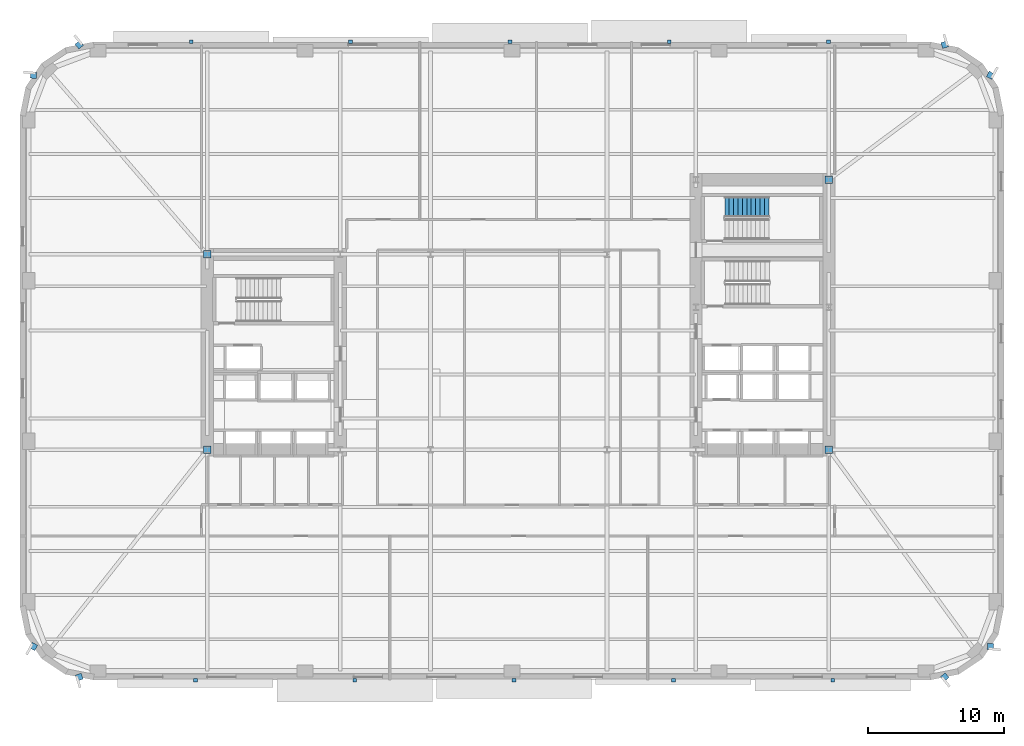
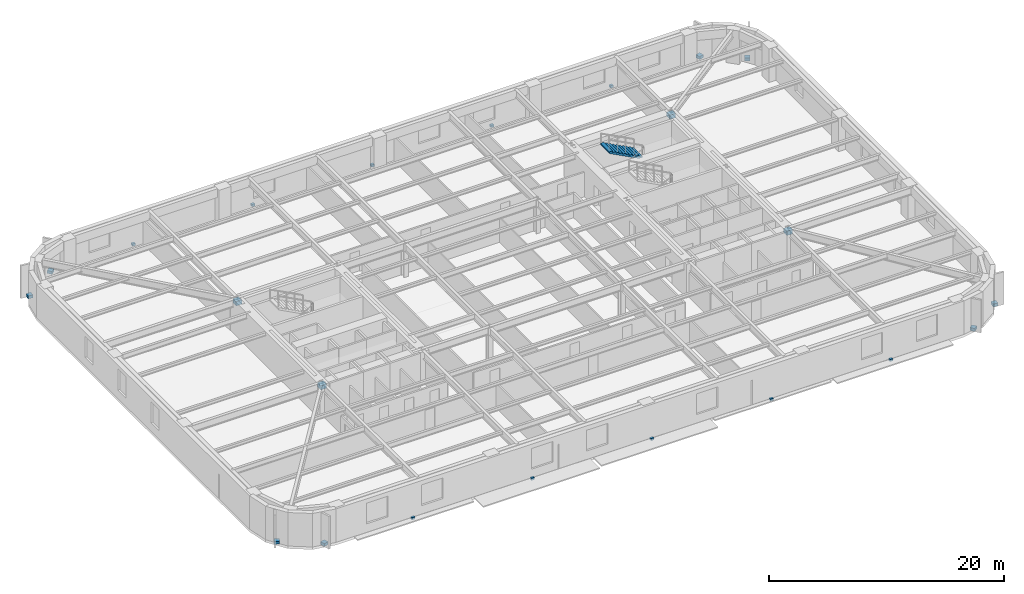
# One storey, part 8 of 15: 22 discrete accessories, 1 stair flight, 1 element without a shape of its own.
"""IFC4 building model written with IfcOpenShell, lengths in metres."""

import ifcopenshell
import ifcopenshell.guid

model = None  # the IFC model being written
_history = None  # IfcOwnerHistory: only IFC2X3 demands one
_inside = {}  # id of a spatial element -> (the spatial element, [elements in it])
_under = {}  # id of a project, library or spatial element -> (it, [spatial elements below it])
_declared = {}  # id of a project -> (the project, [libraries it declares])
_typed = {}  # id of a type object -> (the type object, [elements of that type])
_made_of = {}  # id of a material, layer set ... -> (it, [elements and type objects made of it])


def new_model(schema):
    """Start an empty IFC model of exactly this schema.

    Asked for "IFC4X3", IfcOpenShell would pick the latest addendum, in which some entities
    have other attributes; the version numbers below select the first issue.
    IFC2X3 requires an IfcOwnerHistory on every rooted entity: one is made here for all.
    """
    global model, _history
    if schema == "IFC4X3":
        model = ifcopenshell.file(schema_version=(4, 3, 0, 0))
    else:
        model = ifcopenshell.file(schema=schema)
    _inside.clear()
    _under.clear()
    _declared.clear()
    _typed.clear()
    _made_of.clear()
    _history = None
    if model.schema == "IFC2X3":
        org = make("IfcOrganization", Name="unknown")
        user = make(
            "IfcPersonAndOrganization",
            ThePerson=make("IfcPerson", FamilyName="unknown"),
            TheOrganization=org,
        )
        app = make(
            "IfcApplication",
            ApplicationDeveloper=org,
            Version="unknown",
            ApplicationFullName="unknown",
            ApplicationIdentifier="unknown",
        )
        _history = make(
            "IfcOwnerHistory",
            OwningUser=user,
            OwningApplication=app,
            ChangeAction="ADDED",
            CreationDate=0,
        )
    return model


def make(cls, **values):
    """One entity of the class cls with the attributes given. An attribute that is None is left unset."""
    return model.create_entity(
        cls, **{name: value for name, value in values.items() if value is not None}
    )


def rooted(cls, **values):
    """An entity with a GlobalId (a new one), such as an element, a storey or a relation."""
    return make(cls, GlobalId=ifcopenshell.guid.new(), OwnerHistory=_history, **values)


def si_unit(unit_type, name, prefix=None):
    """IfcSIUnit, for example si_unit("LENGTHUNIT", "METRE", prefix="MILLI")."""
    return make("IfcSIUnit", UnitType=unit_type, Prefix=prefix, Name=name)


def assignment(units):
    """IfcUnitAssignment: the units of a project."""
    return None if units is None else make("IfcUnitAssignment", Units=units)


def point(xyz):
    """IfcCartesianPoint."""
    return None if xyz is None else make("IfcCartesianPoint", Coordinates=xyz)


def direction(xyz):
    """IfcDirection."""
    return None if xyz is None else make("IfcDirection", DirectionRatios=xyz)


def frame(location, z_axis=None, x_axis=None):
    """IfcAxis2Placement3D, a coordinate frame: its origin and axes. An axis left out is left unset."""
    return make(
        "IfcAxis2Placement3D",
        Location=point(location),
        Axis=direction(z_axis),
        RefDirection=direction(x_axis),
    )


def frame_2d(location, x_axis=None):
    """IfcAxis2Placement2D, a coordinate frame in the plane: its origin and x axis."""
    return make(
        "IfcAxis2Placement2D", Location=point(location), RefDirection=direction(x_axis)
    )


def origin():
    """The frame at (0, 0, 0) with its axes left unset."""
    return frame((0.0, 0.0, 0.0))


def origin_2d():
    """The frame at (0, 0) in the plane with its x axis left unset."""
    return frame_2d((0.0, 0.0))


def place(relative_to, where):
    """IfcLocalPlacement: puts the frame where relative to a parent placement (None: the world)."""
    return make(
        "IfcLocalPlacement", PlacementRelTo=relative_to, RelativePlacement=where
    )


def context(
    kind, dimensions, precision=None, world=None, true_north=None, identifier=None
):
    """IfcGeometricRepresentationContext, for example the 3D "Model" context."""
    return make(
        "IfcGeometricRepresentationContext",
        ContextIdentifier=identifier,
        ContextType=kind,
        CoordinateSpaceDimension=dimensions,
        Precision=precision,
        WorldCoordinateSystem=world,
        TrueNorth=true_north,
    )


def subcontext(parent, identifier, kind, view, scale=None):
    """IfcGeometricRepresentationSubContext, for example "Body" below "Model"."""
    return make(
        "IfcGeometricRepresentationSubContext",
        ContextIdentifier=identifier,
        ContextType=kind,
        ParentContext=parent,
        TargetScale=scale,
        TargetView=view,
    )


def project(units=None, contexts=None):
    """IfcProject with its units and contexts."""
    return rooted(
        "IfcProject",
        Name="project",
        RepresentationContexts=contexts,
        UnitsInContext=assignment(units),
    )


def spatial(cls, under=None, at=None, **own):
    """A site, building, storey or space (cls), placed at a placement, below another one or the project."""
    s = rooted(cls, ObjectPlacement=at, **own)
    if under is not None:
        _under.setdefault(under.id(), (under, []))[1].append(s)
    return s


def polyline(points):
    """IfcPolyline through the points."""
    return make("IfcPolyline", Points=[point(p) for p in points])


def profile(cls, at=None, kind="AREA", **sizes):
    """A parametric profile (cls). Its sizes go by their IFC names, for example OverallWidth=200.0."""
    return make(cls, ProfileType=kind, Position=at, **sizes)


def rectangle(**sizes):
    """IfcRectangleProfileDef."""
    return profile("IfcRectangleProfileDef", **sizes)


def outline(outer, holes=None, kind="AREA"):
    """IfcArbitraryClosedProfileDef: a profile drawn as a closed curve; with holes, ...WithVoids."""
    if holes is None:
        return make("IfcArbitraryClosedProfileDef", ProfileType=kind, OuterCurve=outer)
    return make(
        "IfcArbitraryProfileDefWithVoids",
        ProfileType=kind,
        OuterCurve=outer,
        InnerCurves=holes,
    )


def extrude(swept, where, along, depth):
    """IfcExtrudedAreaSolid: the profile swept, set in the frame where, extruded along a direction by depth."""
    return make(
        "IfcExtrudedAreaSolid",
        SweptArea=swept,
        Position=where,
        ExtrudedDirection=direction(along),
        Depth=depth,
    )


def shape(context_of_items, identifier, shape_type, items):
    """IfcShapeRepresentation: the items that make up one representation, for example the "Body"."""
    return make(
        "IfcShapeRepresentation",
        ContextOfItems=context_of_items,
        RepresentationIdentifier=identifier,
        RepresentationType=shape_type,
        Items=items,
    )


def material(Name=None, Category=None):
    """IfcMaterial."""
    return make("IfcMaterial", Name=Name, Category=Category)


def made_of(thing, what):
    """Note that an element or type object is made of a material, layer set ...; save() writes the relation."""
    if what is not None:
        _made_of.setdefault(what.id(), (what, []))[1].append(thing)
    return thing


def type_object(cls, material=None, **own):
    """A type object (cls), such as IfcWallType, which elements share."""
    return made_of(rooted(cls, **own), material)


def element(
    cls,
    number,
    at=None,
    inside=None,
    cuts=None,
    type_object=None,
    material=None,
    context=None,
    identifier="Body",
    shape_type=None,
    held_by="IfcProductDefinitionShape",
    body=None,
    shapes=None,
    **own,
):
    """One element of the class cls, such as IfcWall. Its Tag is "e" and its number.

    at: its placement. inside: the storey or other place that contains it. cuts: it is an
    opening in that element (IfcRelVoidsElement). A single representation is given by context,
    identifier, shape_type and body (its items); several are given by shapes. held_by: the class
    of the entity that holds the representations. save() writes the other relations.
    """
    e = rooted(cls, Tag="e%d" % number, ObjectPlacement=at, **own)
    if body is not None:
        shapes = [shape(context, identifier, shape_type, body)]
    if shapes is not None:
        e.Representation = make(held_by, Representations=shapes)
    if inside is not None:
        _inside.setdefault(inside.id(), (inside, []))[1].append(e)
    if cuts is not None:
        rooted(
            "IfcRelVoidsElement", RelatingBuildingElement=cuts, RelatedOpeningElement=e
        )
    if type_object is not None:
        _typed.setdefault(type_object.id(), (type_object, []))[1].append(e)
    return made_of(e, material)


def aggregate(whole, parts):
    """IfcRelAggregates: a whole, such as a stair, and the parts it consists of."""
    return rooted("IfcRelAggregates", RelatingObject=whole, RelatedObjects=parts)


def save(model, path):
    """Write the relations noted so far, then the file.

    IfcRelAggregates (storeys below a building ...), IfcRelContainedInSpatialStructure (elements
    in a storey), IfcRelDefinesByType, IfcRelAssociatesMaterial and IfcRelDeclares: one each for
    every whole, place, type object, material and project.
    """
    for whole, parts in _under.values():
        aggregate(whole, parts)
    for where, things in _inside.values():
        rooted(
            "IfcRelContainedInSpatialStructure",
            RelatedElements=things,
            RelatingStructure=where,
        )
    for kind, things in _typed.values():
        rooted("IfcRelDefinesByType", RelatedObjects=things, RelatingType=kind)
    for what, things in _made_of.values():
        rooted("IfcRelAssociatesMaterial", RelatedObjects=things, RelatingMaterial=what)
    for by, libraries in _declared.values():
        rooted("IfcRelDeclares", RelatingContext=by, RelatedDefinitions=libraries)
    model.write(path)


model = new_model("IFC4")

# Units and contexts
model_context = context("Model", 3, precision=1e-05, world=origin(), true_north=direction((0.0, 1.0)))
body_context = subcontext(model_context, "Body", "Model", "MODEL_VIEW")
ifc_project = project(units=[si_unit("LENGTHUNIT", "METRE"), si_unit("AREAUNIT", "SQUARE_METRE"), si_unit("VOLUMEUNIT", "CUBIC_METRE"), si_unit("PLANEANGLEUNIT", "RADIAN"), si_unit("MASSUNIT", "GRAM", prefix="KILO")], contexts=[model_context])

# Site, building, storey
site_placement = place(None, origin())
site = spatial("IfcSite", under=ifc_project, at=site_placement, CompositionType="ELEMENT")
building_placement = place(site_placement, origin())
building = spatial("IfcBuilding", under=site, at=building_placement, Name="Kolvaren Arena Tower", CompositionType="ELEMENT")
storey_placement = place(building_placement, frame((0.0, 0.0, 60.75)))
storey = spatial("IfcBuildingStorey", under=building, at=storey_placement, Name="L12", CompositionType="ELEMENT", Elevation=60.75)

# Stair, stair flight
ifc_material_1 = material(Name="Concrete 45 MPa", Category="concrete")
stair_type = type_object("IfcStairType", Name="STAIR-CORE-150", PredefinedType="HALF_TURN_STAIR", material=ifc_material_1)
stair_placement = place(storey_placement, origin())
stair = element("IfcStair", 1, at=stair_placement, inside=storey, type_object=stair_type, Name="L12 ST-E2", PredefinedType="HALF_TURN_STAIR")
stair_flight_type = type_object("IfcStairFlightType", Name="FLT-150", PredefinedType="STRAIGHT", material=ifc_material_1)
stair_flight_placement = place(storey_placement, frame((55.919921875, 37.35009765625, 1.875), z_axis=(0.0, 0.0, 1.0), x_axis=(-1.0, 0.0, 0.0)))
stair_flight = element("IfcStairFlight", 2, at=stair_flight_placement, type_object=stair_flight_type, Name="ST-E2 flight 2", NumberOfRisers=11, NumberOfTreads=10, PredefinedType="STRAIGHT", RiserHeight=0.170454545, TreadLength=0.324, context=body_context, shape_type="SweptSolid", body=[
    extrude(outline(polyline([(0.0, 0.0), (0.0, 0.17041015625), (0.323974609375, 0.17041015625), (0.323974609375, 0.3408203125), (0.64794921875, 0.3408203125), (0.64794921875, 0.511474609375), (0.971923828125, 0.511474609375), (0.971923828125, 0.681884765625), (1.2958984375, 0.681884765625), (1.2958984375, 0.852294921875), (1.6201171875, 0.852294921875), (1.6201171875, 1.022705078125), (1.944091796875, 1.022705078125), (1.944091796875, 1.193115234375), (2.26806640625, 1.193115234375), (2.26806640625, 1.363525390625), (2.592041015625, 1.363525390625), (2.592041015625, 1.5341796875), (2.916015625, 1.5341796875), (2.916015625, 1.70458984375), (3.239990234375, 1.70458984375), (3.239990234375, 1.875), (3.239990234375, 1.53515625), (0.322021484375, 0.0), (0.0, 0.0)])), frame((0.0, 0.75, 0.0), z_axis=(0.0, -1.0, 0.0), x_axis=(1.0, 0.0, 0.0)), (0.0, 0.0, 1.0), 1.5),
])
aggregate(stair, [stair_flight])

# Discrete accessories
ifc_material_2 = material(Name="Stainless steel facade support bracket", Category="steel")
discrete_accessory_type_1 = type_object("IfcDiscreteAccessoryType", Name="ACC-BRKT-1", PredefinedType="BRACKET", material=ifc_material_2)
for number, where, z_axis, x_axis, name in (
    (3, (68.88330078125, 2.70556640625, 0.02001953125), (0.0, 0.0, 1.0), (0.632722898811, -0.774378288254, 0.0), "Corner Fin Anchor Bracket (L12)"),
    (4, (72.253662109375, 4.95751953125, 0.02001953125), (0.0, 0.0, 1.0), (0.994971840066, -0.100155067151, 0.0), "Corner Fin Anchor Bracket (L12)"),
    (5, (72.253662109375, 47.04248046875, 0.02001953125), (0.0, 0.0, 1.0), (0.473348878368, 0.880875041846, 0.0), "Corner Fin Anchor Bracket (L12)"),
    (6, (68.88330078125, 49.29443359375, 0.02001953125), (0.0, 0.0, 1.0), (-0.288174541455, 0.957577899524, 0.0), "Corner Fin Anchor Bracket (L12)"),
):
    element("IfcDiscreteAccessory", number, at=place(storey_placement, frame(where, z_axis=z_axis, x_axis=x_axis)), inside=storey, type_object=discrete_accessory_type_1, Name=name, PredefinedType="BRACKET", context=body_context, shape_type="SweptSolid", body=[
        extrude(rectangle(XDim=0.449951171875, YDim=0.449951171875, at=origin_2d()), origin(), (0.0, 0.0, 1.0), 0.300048828125),
    ])
for number, where, z_axis, x_axis, name in (
    (7, (13.3701171875, 49.52001953125, -0.18017578125), (0.0, 0.0, 1.0), (1.0, 0.0, 0.0), "Sunshade Support Bracket (L12)"),
    (8, (25.110107421875, 49.52001953125, -0.18017578125), (0.0, 0.0, 1.0), (1.0, 0.0, 0.0), "Sunshade Support Bracket (L12)"),
    (9, (36.85009765625, 49.52001953125, -0.18017578125), (0.0, 0.0, 1.0), (1.0, 0.0, 0.0), "Sunshade Support Bracket (L12)"),
    (10, (48.590087890625, 49.52001953125, -0.18017578125), (0.0, 0.0, 1.0), (1.0, 0.0, 0.0), "Sunshade Support Bracket (L12)"),
    (11, (60.330078125, 49.52001953125, -0.18017578125), (0.0, 0.0, 1.0), (1.0, 0.0, 0.0), "Sunshade Support Bracket (L12)"),
):
    element("IfcDiscreteAccessory", number, at=place(storey_placement, frame(where, z_axis=z_axis, x_axis=x_axis)), inside=storey, type_object=discrete_accessory_type_1, Name=name, PredefinedType="BRACKET", context=body_context, shape_type="SweptSolid", body=[
        extrude(rectangle(XDim=0.280029296875, YDim=0.239990234375, at=origin_2d()), origin(), (0.0, 0.0, 1.0), 0.239990234375),
    ])
for number, where, z_axis, x_axis, name in (
    (12, (5.11669921875, 49.29443359375, 0.02001953125), (0.0, 0.0, 1.0), (-0.632722898811, 0.774378288254, 0.0), "Corner Fin Anchor Bracket (L12)"),
    (13, (1.746337890625, 47.04248046875, 0.02001953125), (0.0, 0.0, 1.0), (-0.994971840066, 0.100155067151, 0.0), "Corner Fin Anchor Bracket (L12)"),
    (14, (1.746337890625, 4.95751953125, 0.02001953125), (0.0, 0.0, 1.0), (-0.473348878368, -0.880875041846, 0.0), "Corner Fin Anchor Bracket (L12)"),
    (15, (5.11669921875, 2.70556640625, 0.02001953125), (0.0, 0.0, 1.0), (0.288174541455, -0.957577899524, 0.0), "Corner Fin Anchor Bracket (L12)"),
):
    element("IfcDiscreteAccessory", number, at=place(storey_placement, frame(where, z_axis=z_axis, x_axis=x_axis)), inside=storey, type_object=discrete_accessory_type_1, Name=name, PredefinedType="BRACKET", context=body_context, shape_type="SweptSolid", body=[
        extrude(rectangle(XDim=0.449951171875, YDim=0.449951171875, at=origin_2d()), origin(), (0.0, 0.0, 1.0), 0.300048828125),
    ])
for number, where, z_axis, x_axis, name in (
    (16, (60.6298828125, 2.47998046875, -0.18017578125), (0.0, 0.0, 1.0), (-1.0, 0.0, 0.0), "Sunshade Support Bracket (L12)"),
    (17, (48.889892578125, 2.47998046875, -0.18017578125), (0.0, 0.0, 1.0), (-1.0, 0.0, 0.0), "Sunshade Support Bracket (L12)"),
    (18, (37.14990234375, 2.47998046875, -0.18017578125), (0.0, 0.0, 1.0), (-1.0, 0.0, 0.0), "Sunshade Support Bracket (L12)"),
    (19, (25.409912109375, 2.47998046875, -0.18017578125), (0.0, 0.0, 1.0), (-1.0, 0.0, 0.0), "Sunshade Support Bracket (L12)"),
    (20, (13.669921875, 2.47998046875, -0.18017578125), (0.0, 0.0, 1.0), (-1.0, 0.0, 0.0), "Sunshade Support Bracket (L12)"),
):
    element("IfcDiscreteAccessory", number, at=place(storey_placement, frame(where, z_axis=z_axis, x_axis=x_axis)), inside=storey, type_object=discrete_accessory_type_1, Name=name, PredefinedType="BRACKET", context=body_context, shape_type="SweptSolid", body=[
        extrude(rectangle(XDim=0.280029296875, YDim=0.239990234375, at=origin_2d()), origin(), (0.0, 0.0, 1.0), 0.239990234375),
    ])
ifc_material_3 = material(Name="Steel CSA G40.21 350W bolted gusset connection", Category="steel")
discrete_accessory_type_2 = type_object("IfcDiscreteAccessoryType", Name="ACC-CONN-1", PredefinedType="BRACKET", material=ifc_material_3)
for number, where, z_axis, x_axis, name in (
    (21, (60.35009765625, 19.449951171875, 2.87353515625), (0.0, 0.0, 1.0), (1.0, 0.0, 0.0), "Core Wall Cast-In Embed Plate EP1 (L12)"),
    (22, (60.35009765625, 39.35009765625, 2.87353515625), (0.0, 0.0, 1.0), (1.0, 0.0, 0.0), "Core Wall Cast-In Embed Plate EP1 (L12)"),
    (23, (14.550048828125, 33.85009765625, 2.87353515625), (0.0, 0.0, 1.0), (1.0, 0.0, 0.0), "Core Wall Cast-In Embed Plate EP1 (L12)"),
    (24, (14.550048828125, 19.449951171875, 2.87353515625), (0.0, 0.0, 1.0), (1.0, 0.0, 0.0), "Core Wall Cast-In Embed Plate EP1 (L12)"),
):
    element("IfcDiscreteAccessory", number, at=place(storey_placement, frame(where, z_axis=z_axis, x_axis=x_axis)), inside=storey, type_object=discrete_accessory_type_2, Name=name, PredefinedType="BRACKET", context=body_context, shape_type="SweptSolid", body=[
        extrude(rectangle(XDim=0.56005859375, YDim=0.56005859375, at=origin_2d()), origin(), (0.0, 0.0, 1.0), 0.43994140625),
    ])

save(model, "model.ifc")
